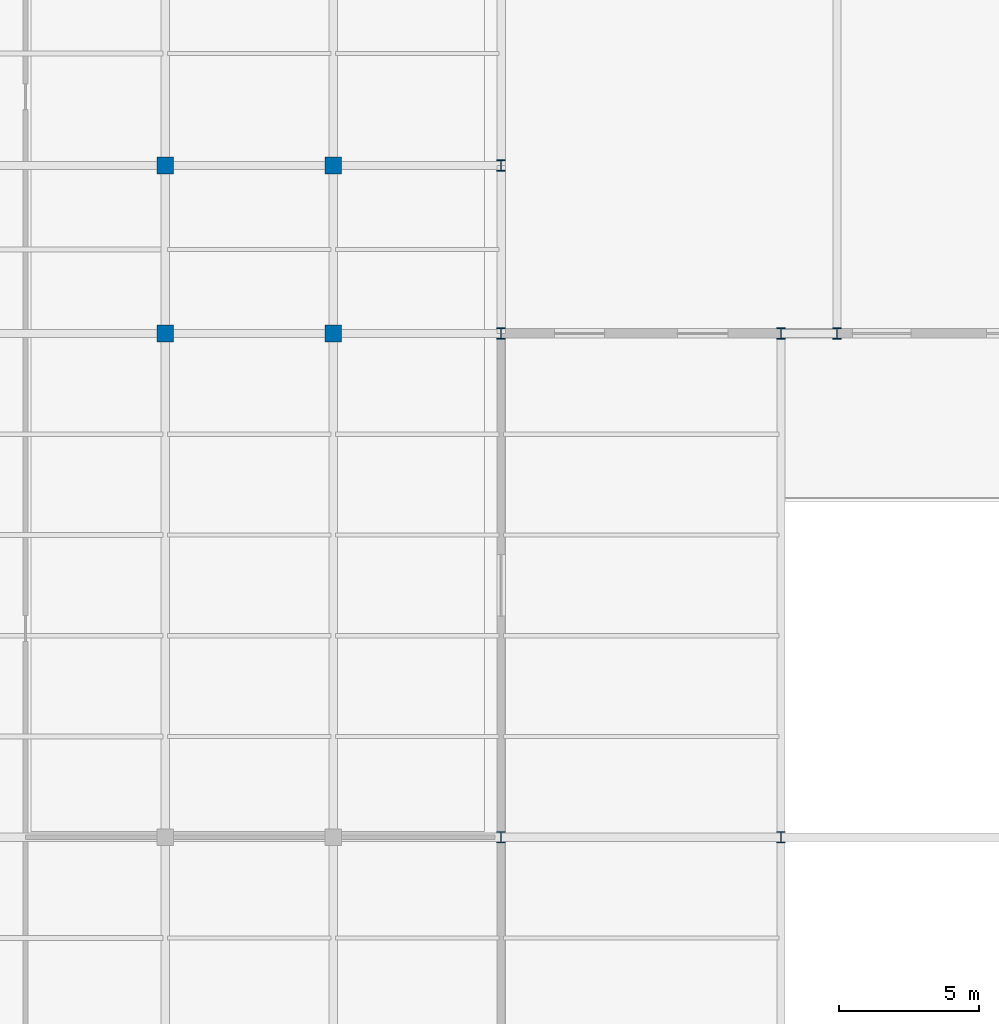
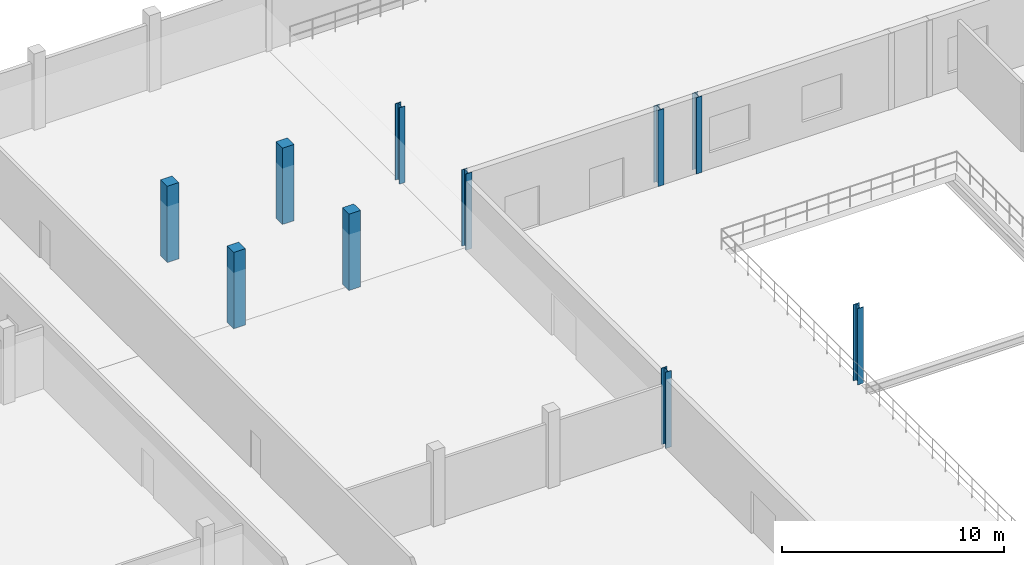
# One storey, part 11 of 147: 10 columns.
"""IFC4 building model written with IfcOpenShell, lengths in metres."""

from ifc_helpers import new_model, si_unit, direction, frame, origin, origin_2d, place, context, subcontext, project, spatial, rectangle, i_section, extrude, material, material_profile, profile_set, type_object, element, save


model = new_model("IFC4")

# Units and contexts
model_context = context("Model", 3, precision=1e-05, world=origin(), true_north=direction((0.0, 1.0)))
body_context = subcontext(model_context, "Body", "Model", "MODEL_VIEW")
ifc_project = project(units=[si_unit("LENGTHUNIT", "METRE"), si_unit("AREAUNIT", "SQUARE_METRE"), si_unit("VOLUMEUNIT", "CUBIC_METRE"), si_unit("PLANEANGLEUNIT", "RADIAN"), si_unit("MASSUNIT", "GRAM", prefix="KILO")], contexts=[model_context])

# Site, building, storey
site_placement = place(None, origin())
site = spatial("IfcSite", under=ifc_project, at=site_placement, CompositionType="ELEMENT")
building_placement = place(site_placement, origin())
building = spatial("IfcBuilding", under=site, at=building_placement, Name="Zilviju Railside Exhibition Hall", CompositionType="ELEMENT")
storey_placement = place(building_placement, frame((0.0, 0.0, 8.39990234375)))
storey = spatial("IfcBuildingStorey", under=building, at=storey_placement, Name="L03", CompositionType="ELEMENT", Elevation=8.39990234375)

# Columns
ifc_material_1 = material(Name="Concrete C35/45", Category="concrete")
ifc_material_profile_1 = material_profile(ifc_material_1, rectangle(XDim=0.60009765625, YDim=0.60009765625, at=origin_2d()), Name="RC COL 600x600")
ifc_profile_set_1 = profile_set([ifc_material_profile_1], Name="Concrete C35/45")
column_type_1 = type_object("IfcColumnType", Name="COL-RC-600", PredefinedType="COLUMN", material=ifc_profile_set_1)
for number, where, z_axis, x_axis, name in (
    (1, (36.0, 120.0, 0.0), (0.0, 0.0, 1.0), (1.0, 0.0, 0.0), "Structural Column L03 (36.0, 120.0)"),
    (2, (42.0, 120.0, 0.0), (0.0, 0.0, 1.0), (1.0, 0.0, 0.0), "Structural Column L03 (42.0, 120.0)"),
    (3, (36.0, 126.0, 0.0), (0.0, 0.0, 1.0), (1.0, 0.0, 0.0), "Structural Column L03 (36.0, 126.0)"),
    (4, (42.0, 126.0, 0.0), (0.0, 0.0, 1.0), (1.0, 0.0, 0.0), "Structural Column L03 (42.0, 126.0)"),
):
    element("IfcColumn", number, at=place(storey_placement, frame(where, z_axis=z_axis, x_axis=x_axis)), inside=storey, type_object=column_type_1, Name=name, PredefinedType="COLUMN", context=body_context, shape_type="SweptSolid", body=[
        extrude(rectangle(XDim=0.60009765625, YDim=0.60009765625, at=origin_2d()), origin(), (0.0, 0.0, 1.0), 4.2001953125),
    ])
ifc_material_2 = material(Name="Steel S355J2", Category="steel")
ifc_material_profile_2 = material_profile(ifc_material_2, i_section(OverallWidth=0.300048828125, OverallDepth=0.39990234375, WebThickness=0.013427734375, FlangeThickness=0.02392578125, at=origin_2d()), Name="HEB 400")
ifc_profile_set_2 = profile_set([ifc_material_profile_2], Name="Steel S355J2")
column_type_2 = type_object("IfcColumnType", Name="COL-ST-HEB400", PredefinedType="COLUMN", material=ifc_profile_set_2)
for number, where, z_axis, x_axis, name in (
    (5, (48.0, 102.0, 0.0), (0.0, 0.0, 1.0), (1.0, 0.0, 0.0), "Structural Column L03 (48.0, 102.0)"),
    (6, (58.0, 102.0, 0.0), (0.0, 0.0, 1.0), (1.0, 0.0, 0.0), "Structural Column L03 (58.0, 102.0)"),
    (7, (48.0, 120.0, 0.0), (0.0, 0.0, 1.0), (1.0, 0.0, 0.0), "Structural Column L03 (48.0, 120.0)"),
    (8, (58.0, 120.0, 0.0), (0.0, 0.0, 1.0), (1.0, 0.0, 0.0), "Structural Column L03 (58.0, 120.0)"),
    (9, (60.0, 120.0, 0.0), (0.0, 0.0, 1.0), (1.0, 0.0, 0.0), "Structural Column L03 (60.0, 120.0)"),
    (10, (48.0, 126.0, 0.0), (0.0, 0.0, 1.0), (1.0, 0.0, 0.0), "Structural Column L03 (48.0, 126.0)"),
):
    element("IfcColumn", number, at=place(storey_placement, frame(where, z_axis=z_axis, x_axis=x_axis)), inside=storey, type_object=column_type_2, Name=name, PredefinedType="COLUMN", context=body_context, shape_type="SweptSolid", body=[
        extrude(i_section(OverallWidth=0.300048828125, OverallDepth=0.39990234375, WebThickness=0.013427734375, FlangeThickness=0.02392578125, at=origin_2d()), origin(), (0.0, 0.0, 1.0), 4.2001953125),
    ])

save(model, "model.ifc")
